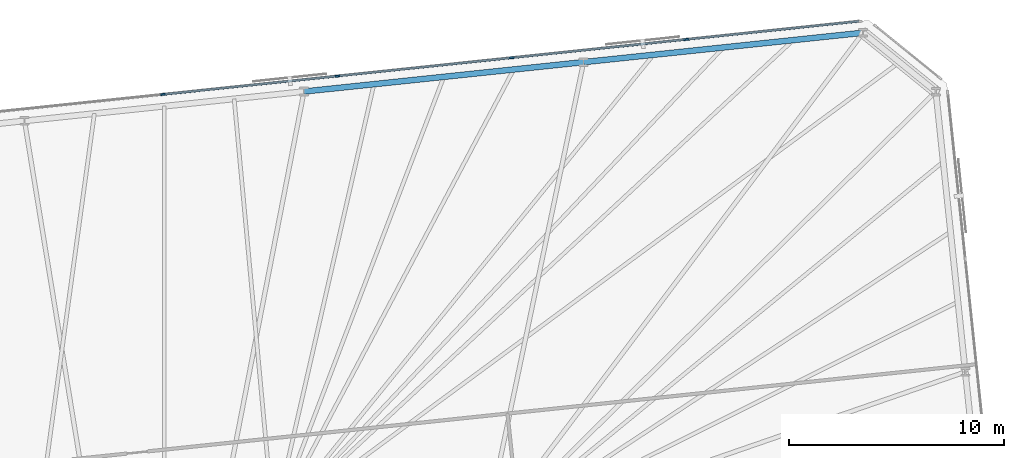
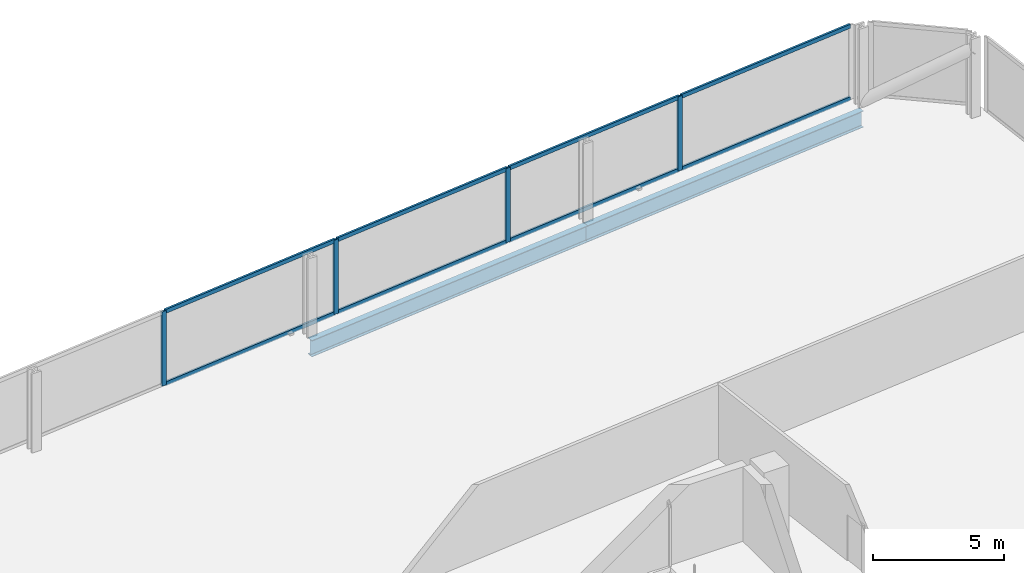
# One storey, part 11 of 17: 12 members, 2 beams, 1 element without a shape of its own.
"""IFC4 building model written with IfcOpenShell, lengths in metres."""

from ifc_helpers import new_model, si_unit, direction, frame, origin, origin_2d, place, context, subcontext, project, spatial, rectangle, i_section, extrude, material, material_profile, profile_set, type_object, element, aggregate, save


model = new_model("IFC4")

# Units and contexts
model_context = context("Model", 3, precision=1e-05, world=origin(), true_north=direction((0.0, 1.0)))
body_context = subcontext(model_context, "Body", "Model", "MODEL_VIEW")
ifc_project = project(units=[si_unit("LENGTHUNIT", "METRE"), si_unit("AREAUNIT", "SQUARE_METRE"), si_unit("VOLUMEUNIT", "CUBIC_METRE"), si_unit("PLANEANGLEUNIT", "RADIAN"), si_unit("MASSUNIT", "GRAM", prefix="KILO")], contexts=[model_context])

# Site, building, storey
site_placement = place(None, origin())
site = spatial("IfcSite", under=ifc_project, at=site_placement, CompositionType="ELEMENT")
building_placement = place(site_placement, origin())
building = spatial("IfcBuilding", under=site, at=building_placement, Name="Menara Jurai Vektor", CompositionType="ELEMENT")
storey_placement = place(building_placement, frame((0.0, 0.0, 131.800048828125)))
storey = spatial("IfcBuildingStorey", under=building, at=storey_placement, Name="L33", CompositionType="ELEMENT", Elevation=131.800048828125)

# Curtain wall, members
ifc_material_1 = material(Name="Anodised Pale Aluminium & Low-E Double Glazing", Category="aluminium")
curtain_wall_type = type_object("IfcCurtainWallType", Name="CW-BLK2", PredefinedType="NOTDEFINED", material=ifc_material_1)
curtain_wall_placement = place(storey_placement, origin())
curtain_wall = element("IfcCurtainWall", 1, at=curtain_wall_placement, inside=storey, type_object=curtain_wall_type, Name="Unitised Curtain Wall L33 F05", PredefinedType="NOTDEFINED")
ifc_material_2 = material(Name="Anodised Pale Aluminium Mullion", Category="aluminium")
ifc_material_profile_1 = material_profile(ifc_material_2, rectangle(XDim=0.090087890625, YDim=0.219970703125, at=origin_2d()), Name="ALU MUL 90x220")
ifc_profile_set_1 = profile_set([ifc_material_profile_1], Name="Anodised Pale Aluminium Mullion")
member_type_1 = type_object("IfcMemberType", Name="CW-BLK2-MUL", PredefinedType="MULLION", material=ifc_profile_set_1)
member_1_placement = place(storey_placement, frame((24.663330078125, 28.075927734375, 0.0), z_axis=(0.0, 0.0, 1.0), x_axis=(0.104528634935, -0.994521877325, 0.0)))
member_1 = element("IfcMember", 2, at=member_1_placement, type_object=member_type_1, Name="CW-02 mullion 2", PredefinedType="MULLION", context=body_context, shape_type="SweptSolid", body=[
    extrude(rectangle(XDim=0.090087890625, YDim=0.219970703125, at=origin_2d()), origin(), (0.0, 0.0, 1.0), 3.474853515625),
])
member_2_placement = place(storey_placement, frame((16.5654296875, 27.224853515625, 0.0), z_axis=(0.0, 0.0, 1.0), x_axis=(0.104528634935, -0.994521877325, 0.0)))
member_2 = element("IfcMember", 3, at=member_2_placement, type_object=member_type_1, Name="CW-02 mullion 3", PredefinedType="MULLION", context=body_context, shape_type="SweptSolid", body=[
    extrude(rectangle(XDim=0.090087890625, YDim=0.219970703125, at=origin_2d()), origin(), (0.0, 0.0, 1.0), 3.474853515625),
])
member_3_placement = place(storey_placement, frame((8.467529296875, 26.373779296875, 0.0), z_axis=(0.0, 0.0, 1.0), x_axis=(0.104528634935, -0.994521877325, 0.0)))
member_3 = element("IfcMember", 4, at=member_3_placement, type_object=member_type_1, Name="CW-02 mullion 4", PredefinedType="MULLION", context=body_context, shape_type="SweptSolid", body=[
    extrude(rectangle(XDim=0.090087890625, YDim=0.219970703125, at=origin_2d()), origin(), (0.0, 0.0, 1.0), 3.474853515625),
])
member_4_placement = place(storey_placement, frame((0.36962890625, 25.522705078125, 0.0), z_axis=(0.0, 0.0, 1.0), x_axis=(0.104528634935, -0.994521877325, 0.0)))
member_4 = element("IfcMember", 5, at=member_4_placement, type_object=member_type_1, Name="CW-02 mullion 5", PredefinedType="MULLION", context=body_context, shape_type="SweptSolid", body=[
    extrude(rectangle(XDim=0.090087890625, YDim=0.219970703125, at=origin_2d()), origin(), (0.0, 0.0, 1.0), 3.474853515625),
])
ifc_material_3 = material(Name="Anodised Pale Aluminium Transom", Category="aluminium")
ifc_material_profile_2 = material_profile(ifc_material_3, rectangle(XDim=0.090087890625, YDim=0.18505859375, at=origin_2d()), Name="ALU TRN 90x185")
ifc_profile_set_2 = profile_set([ifc_material_profile_2], Name="Anodised Pale Aluminium Transom")
member_type_2 = type_object("IfcMemberType", Name="CW-BLK2-TRN", PredefinedType="USERDEFINED", material=ifc_profile_set_2)
member_5_placement = place(storey_placement, frame((32.671875, 28.917724609375, 0.044921875), z_axis=(-0.994519977808, -0.104546706027, 0.0), x_axis=(0.104546706027, -0.994519977808, 0.0)))
member_5 = element("IfcMember", 6, at=member_5_placement, type_object=member_type_2, Name="CW-02 transom 1.1", ObjectType="TRANSOM", PredefinedType="USERDEFINED", context=body_context, shape_type="SweptSolid", body=[
    extrude(rectangle(XDim=0.090087890625, YDim=0.18505859375, at=origin_2d()), origin(), (0.0, 0.0, 1.0), 8.007568359375),
])
member_6_placement = place(storey_placement, frame((32.671875, 28.917724609375, 3.429931640625), z_axis=(-0.994519977808, -0.104546706027, 0.0), x_axis=(0.104546706027, -0.994519977808, 0.0)))
member_6 = element("IfcMember", 7, at=member_6_placement, type_object=member_type_2, Name="CW-02 transom 1.2", ObjectType="TRANSOM", PredefinedType="USERDEFINED", context=body_context, shape_type="SweptSolid", body=[
    extrude(rectangle(XDim=0.090087890625, YDim=0.18505859375, at=origin_2d()), origin(), (0.0, 0.0, 1.0), 8.007568359375),
])
member_7_placement = place(storey_placement, frame((24.61865234375, 28.0712890625, 0.044921875), z_axis=(-0.994520726373, -0.10453958492, 0.0), x_axis=(0.10453958492, -0.994520726373, 0.0)))
member_7 = element("IfcMember", 8, at=member_7_placement, type_object=member_type_2, Name="CW-02 transom 2.1", ObjectType="TRANSOM", PredefinedType="USERDEFINED", context=body_context, shape_type="SweptSolid", body=[
    extrude(rectangle(XDim=0.090087890625, YDim=0.18505859375, at=origin_2d()), origin(), (0.0, 0.0, 1.0), 8.052490234375),
])
member_8_placement = place(storey_placement, frame((24.61865234375, 28.0712890625, 3.429931640625), z_axis=(-0.994520726373, -0.10453958492, 0.0), x_axis=(0.10453958492, -0.994520726373, 0.0)))
member_8 = element("IfcMember", 9, at=member_8_placement, type_object=member_type_2, Name="CW-02 transom 2.2", ObjectType="TRANSOM", PredefinedType="USERDEFINED", context=body_context, shape_type="SweptSolid", body=[
    extrude(rectangle(XDim=0.090087890625, YDim=0.18505859375, at=origin_2d()), origin(), (0.0, 0.0, 1.0), 8.052490234375),
])
member_9_placement = place(storey_placement, frame((16.520751953125, 27.22021484375, 0.044921875), z_axis=(-0.994520726373, -0.10453958492, 0.0), x_axis=(0.10453958492, -0.994520726373, 0.0)))
member_9 = element("IfcMember", 10, at=member_9_placement, type_object=member_type_2, Name="CW-02 transom 3.1", ObjectType="TRANSOM", PredefinedType="USERDEFINED", context=body_context, shape_type="SweptSolid", body=[
    extrude(rectangle(XDim=0.090087890625, YDim=0.18505859375, at=origin_2d()), origin(), (0.0, 0.0, 1.0), 8.052490234375),
])
member_10_placement = place(storey_placement, frame((16.520751953125, 27.22021484375, 3.429931640625), z_axis=(-0.994520726373, -0.10453958492, 0.0), x_axis=(0.10453958492, -0.994520726373, 0.0)))
member_10 = element("IfcMember", 11, at=member_10_placement, type_object=member_type_2, Name="CW-02 transom 3.2", ObjectType="TRANSOM", PredefinedType="USERDEFINED", context=body_context, shape_type="SweptSolid", body=[
    extrude(rectangle(XDim=0.090087890625, YDim=0.18505859375, at=origin_2d()), origin(), (0.0, 0.0, 1.0), 8.052490234375),
])
member_11_placement = place(storey_placement, frame((8.4228515625, 26.369140625, 0.044921875), z_axis=(-0.994520726373, -0.10453958492, 0.0), x_axis=(0.10453958492, -0.994520726373, 0.0)))
member_11 = element("IfcMember", 12, at=member_11_placement, type_object=member_type_2, Name="CW-02 transom 4.1", ObjectType="TRANSOM", PredefinedType="USERDEFINED", context=body_context, shape_type="SweptSolid", body=[
    extrude(rectangle(XDim=0.090087890625, YDim=0.18505859375, at=origin_2d()), origin(), (0.0, 0.0, 1.0), 8.052490234375),
])
member_12_placement = place(storey_placement, frame((8.4228515625, 26.369140625, 3.429931640625), z_axis=(-0.994520726373, -0.10453958492, 0.0), x_axis=(0.10453958492, -0.994520726373, 0.0)))
member_12 = element("IfcMember", 13, at=member_12_placement, type_object=member_type_2, Name="CW-02 transom 4.2", ObjectType="TRANSOM", PredefinedType="USERDEFINED", context=body_context, shape_type="SweptSolid", body=[
    extrude(rectangle(XDim=0.090087890625, YDim=0.18505859375, at=origin_2d()), origin(), (0.0, 0.0, 1.0), 8.052490234375),
])
aggregate(curtain_wall, [member_1, member_2, member_3, member_4, member_5, member_6, member_7, member_8, member_9, member_10, member_11, member_12])

# Beams
ifc_material_4 = material(Name="Steel S460", Category="steel")
ifc_material_profile_3 = material_profile(ifc_material_4, i_section(OverallWidth=0.26806640625, OverallDepth=0.77001953125, WebThickness=0.01611328125, FlangeThickness=0.02490234375, FilletRadius=0.01708984375, at=origin_2d()), Name="UKB 762x267x197")
ifc_profile_set_3 = profile_set([ifc_material_profile_3], Name="Steel S460")
beam_type = type_object("IfcBeamType", Name="STR-SP-762", PredefinedType="SPANDREL", material=ifc_profile_set_3)
beam_1_placement = place(storey_placement, frame((32.876220703125, 28.38623046875, -0.610107421875), z_axis=(-0.994521431679, -0.104532874882, 0.0), x_axis=(0.104532874882, -0.994521431679, 0.0)))
element("IfcBeam", 14, at=beam_1_placement, inside=storey, type_object=beam_type, Name="Exoskeleton Spandrel Beam L33-11", PredefinedType="SPANDREL", context=body_context, shape_type="SweptSolid", body=[
    extrude(i_section(OverallWidth=0.26806640625, OverallDepth=0.77001953125, WebThickness=0.01611328125, FlangeThickness=0.02490234375, FilletRadius=0.01708984375, at=origin_2d()), origin(), (0.0, 0.0, 1.0), 13.051025390625),
])
beam_2_placement = place(storey_placement, frame((19.896728515625, 27.02197265625, -0.610107421875), z_axis=(-0.994521636083, -0.104530930169, 0.0), x_axis=(0.104530930169, -0.994521636083, 0.0)))
element("IfcBeam", 15, at=beam_2_placement, inside=storey, type_object=beam_type, Name="Exoskeleton Spandrel Beam L33-12", PredefinedType="SPANDREL", context=body_context, shape_type="SweptSolid", body=[
    extrude(i_section(OverallWidth=0.26806640625, OverallDepth=0.77001953125, WebThickness=0.01611328125, FlangeThickness=0.02490234375, FilletRadius=0.01708984375, at=origin_2d()), origin(), (0.0, 0.0, 1.0), 13.05126953125),
])

save(model, "model.ifc")
